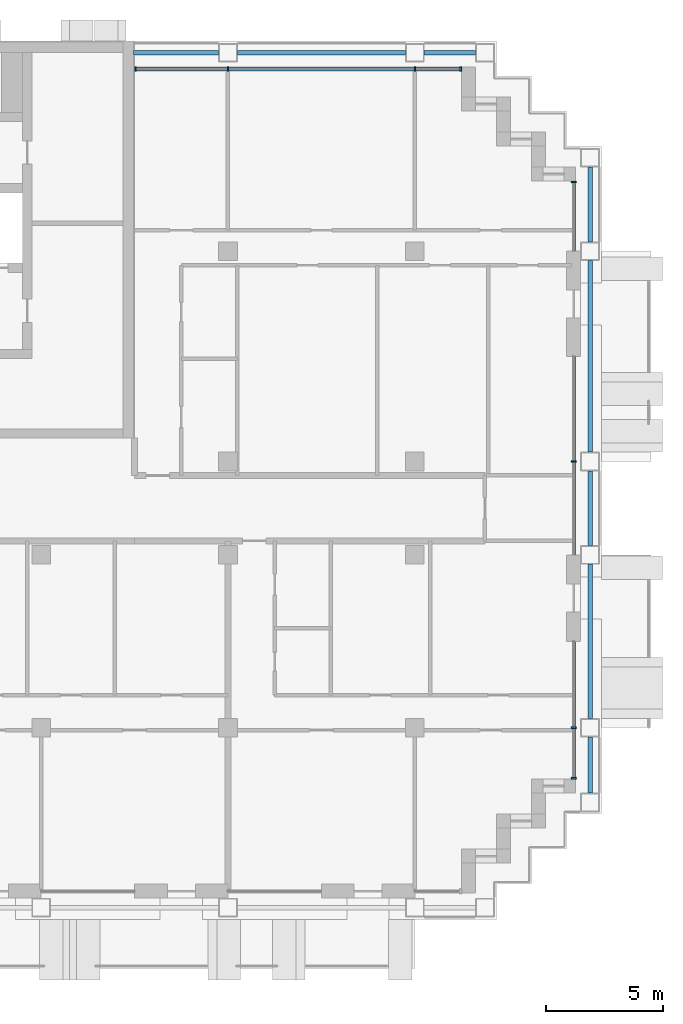
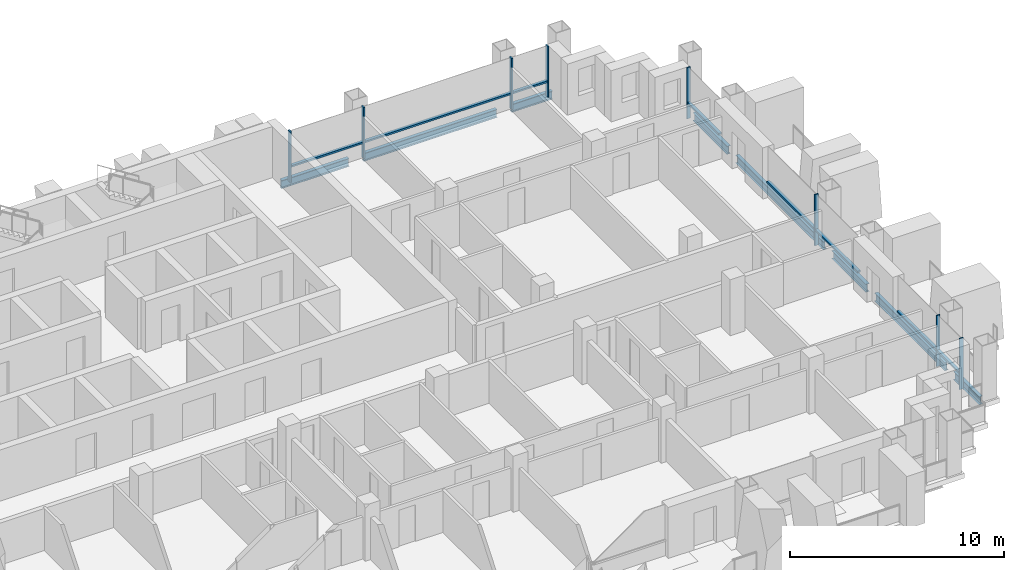
# One storey, part 5 of 18: 16 members, 8 beams, 4 elements without a shape of their own.
"""IFC4 building model written with IfcOpenShell, lengths in metres."""

from ifc_helpers import new_model, si_unit, direction, frame, origin, origin_2d, place, context, subcontext, project, spatial, rectangle, i_section, extrude, material, material_profile, profile_set, type_object, element, aggregate, save


model = new_model("IFC4")

# Units and contexts
model_context = context("Model", 3, precision=1e-05, world=origin(), true_north=direction((0.0, 1.0)))
body_context = subcontext(model_context, "Body", "Model", "MODEL_VIEW")
ifc_project = project(units=[si_unit("LENGTHUNIT", "METRE"), si_unit("AREAUNIT", "SQUARE_METRE"), si_unit("VOLUMEUNIT", "CUBIC_METRE"), si_unit("PLANEANGLEUNIT", "RADIAN"), si_unit("MASSUNIT", "GRAM", prefix="KILO")], contexts=[model_context])

# Site, building, storey
site_placement = place(None, origin())
site = spatial("IfcSite", under=ifc_project, at=site_placement, CompositionType="ELEMENT")
building_placement = place(site_placement, origin())
building = spatial("IfcBuilding", under=site, at=building_placement, Name="Vidyagriha Tower", CompositionType="ELEMENT")
storey_placement = place(building_placement, frame((0.0, 0.0, 123.0)))
storey = spatial("IfcBuildingStorey", under=building, at=storey_placement, Name="L31", CompositionType="ELEMENT", Elevation=123.0)

# Beams
ifc_material_1 = material(Name="Steel ASTM A992 Grade 50", Category="steel")
ifc_material_profile_1 = material_profile(ifc_material_1, i_section(OverallWidth=0.19189453125, OverallDepth=0.46240234375, WebThickness=0.010498046875, FlangeThickness=0.017578125, at=origin_2d()), Name="W18X60")
ifc_profile_set_1 = profile_set([ifc_material_profile_1], Name="Steel ASTM A992 Grade 50")
beam_type = type_object("IfcBeamType", Name="Edge beam W18X60", PredefinedType="SPANDREL", material=ifc_profile_set_1)
beam_1_placement = place(storey_placement, frame((33.5, -12.199951171875, -0.51123046875), z_axis=(0.0, 1.0, 0.0), x_axis=(-1.0, 0.0, 0.0)))
element("IfcBeam", 1, at=beam_1_placement, inside=storey, type_object=beam_type, Name="st-beam-L31-E14", PredefinedType="SPANDREL", context=body_context, shape_type="SweptSolid", body=[
    extrude(i_section(OverallWidth=0.19189453125, OverallDepth=0.46240234375, WebThickness=0.010498046875, FlangeThickness=0.017578125, at=origin_2d()), origin(), (0.0, 0.0, 1.0), 2.39990234375),
])
beam_2_placement = place(storey_placement, frame((33.5, -9.0, -0.51123046875), z_axis=(0.0, 1.0, 0.0), x_axis=(-1.0, 0.0, 0.0)))
element("IfcBeam", 2, at=beam_2_placement, inside=storey, type_object=beam_type, Name="st-beam-L31-E15", PredefinedType="SPANDREL", context=body_context, shape_type="SweptSolid", body=[
    extrude(i_section(OverallWidth=0.19189453125, OverallDepth=0.46240234375, WebThickness=0.010498046875, FlangeThickness=0.017578125, at=origin_2d()), origin(), (0.0, 0.0, 1.0), 6.60009765625),
])
beam_3_placement = place(storey_placement, frame((33.5, -1.60009765625, -0.51123046875), z_axis=(0.0, 1.0, 0.0), x_axis=(-1.0, 0.0, 0.0)))
element("IfcBeam", 3, at=beam_3_placement, inside=storey, type_object=beam_type, Name="st-beam-L31-E16", PredefinedType="SPANDREL", context=body_context, shape_type="SweptSolid", body=[
    extrude(i_section(OverallWidth=0.19189453125, OverallDepth=0.46240234375, WebThickness=0.010498046875, FlangeThickness=0.017578125, at=origin_2d()), origin(), (0.0, 0.0, 1.0), 3.2001953125),
])
beam_4_placement = place(storey_placement, frame((33.5, 2.39990234375, -0.51123046875), z_axis=(0.0, 1.0, 0.0), x_axis=(-1.0, 0.0, 0.0)))
element("IfcBeam", 4, at=beam_4_placement, inside=storey, type_object=beam_type, Name="st-beam-L31-E17", PredefinedType="SPANDREL", context=body_context, shape_type="SweptSolid", body=[
    extrude(i_section(OverallWidth=0.19189453125, OverallDepth=0.46240234375, WebThickness=0.010498046875, FlangeThickness=0.017578125, at=origin_2d()), origin(), (0.0, 0.0, 1.0), 8.2001953125),
])
beam_5_placement = place(storey_placement, frame((33.5, 11.39990234375, -0.51123046875), z_axis=(0.0, 1.0, 0.0), x_axis=(-1.0, 0.0, 0.0)))
element("IfcBeam", 5, at=beam_5_placement, inside=storey, type_object=beam_type, Name="st-beam-L31-E18", PredefinedType="SPANDREL", context=body_context, shape_type="SweptSolid", body=[
    extrude(i_section(OverallWidth=0.19189453125, OverallDepth=0.46240234375, WebThickness=0.010498046875, FlangeThickness=0.017578125, at=origin_2d()), origin(), (0.0, 0.0, 1.0), 3.2001953125),
])
beam_6_placement = place(storey_placement, frame((18.39990234375, 19.5, -0.51123046875), z_axis=(1.0, 0.0, 0.0), x_axis=(0.0, 1.0, 0.0)))
element("IfcBeam", 6, at=beam_6_placement, inside=storey, type_object=beam_type, Name="st-beam-L31-NE20", PredefinedType="SPANDREL", context=body_context, shape_type="SweptSolid", body=[
    extrude(i_section(OverallWidth=0.19189453125, OverallDepth=0.46240234375, WebThickness=0.010498046875, FlangeThickness=0.017578125, at=origin_2d()), origin(), (0.0, 0.0, 1.0), 7.2001953125),
])
beam_7_placement = place(storey_placement, frame((26.39990234375, 19.5, -0.51123046875), z_axis=(1.0, 0.0, 0.0), x_axis=(0.0, 1.0, 0.0)))
element("IfcBeam", 7, at=beam_7_placement, inside=storey, type_object=beam_type, Name="st-beam-L31-NE21", PredefinedType="SPANDREL", context=body_context, shape_type="SweptSolid", body=[
    extrude(i_section(OverallWidth=0.19189453125, OverallDepth=0.46240234375, WebThickness=0.010498046875, FlangeThickness=0.017578125, at=origin_2d()), origin(), (0.0, 0.0, 1.0), 2.2001953125),
])
beam_8_placement = place(storey_placement, frame((13.949951171875, 19.5, -0.51123046875), z_axis=(1.0, 0.0, 0.0), x_axis=(0.0, 1.0, 0.0)))
element("IfcBeam", 8, at=beam_8_placement, inside=storey, type_object=beam_type, Name="st-beam-L31-NC23", PredefinedType="SPANDREL", context=body_context, shape_type="SweptSolid", body=[
    extrude(i_section(OverallWidth=0.19189453125, OverallDepth=0.46240234375, WebThickness=0.010498046875, FlangeThickness=0.017578125, at=origin_2d()), origin(), (0.0, 0.0, 1.0), 3.650146484375),
])

# Curtain wall, members
ifc_material_2 = material(Name="Aluminium and glass curtain wall", Category="aluminium")
curtain_wall_type = type_object("IfcCurtainWallType", Name="Dwelling skin unitised curtain wall", PredefinedType="USERDEFINED", material=ifc_material_2)
curtain_wall_1_placement = place(storey_placement, origin())
curtain_wall_1 = element("IfcCurtainWall", 9, at=curtain_wall_1_placement, inside=storey, type_object=curtain_wall_type, Name="CW1 dwelling skin", ObjectType="UNITISED", PredefinedType="USERDEFINED")
ifc_material_3 = material(Name="Aluminium black anodised", Category="aluminium")
ifc_material_profile_2 = material_profile(ifc_material_3, rectangle(XDim=0.199951171875, YDim=0.070068359375, at=origin_2d()), Name="Mullion 70x200 black aluminium")
ifc_profile_set_2 = profile_set([ifc_material_profile_2], Name="Aluminium black anodised")
member_type_1 = type_object("IfcMemberType", Name="Mullion 70x200 black aluminium", PredefinedType="MULLION", material=ifc_profile_set_2)
member_1_placement = place(storey_placement, frame((27.965087890625, 18.800048828125, 0.0), z_axis=(0.0, 0.0, 1.0), x_axis=(0.0, -1.0, 0.0)))
member_1 = element("IfcMember", 10, at=member_1_placement, type_object=member_type_1, Name="CW1 mullion 1", PredefinedType="MULLION", context=body_context, shape_type="SweptSolid", body=[
    extrude(rectangle(XDim=0.199951171875, YDim=0.070068359375, at=origin_2d()), origin(), (0.0, 0.0, 1.0), 2.919921875),
])
member_2_placement = place(storey_placement, frame((26.0, 18.800048828125, 0.0), z_axis=(0.0, 0.0, 1.0), x_axis=(0.0, -1.0, 0.0)))
member_2 = element("IfcMember", 11, at=member_2_placement, type_object=member_type_1, Name="CW1 mullion 2", PredefinedType="MULLION", context=body_context, shape_type="SweptSolid", body=[
    extrude(rectangle(XDim=0.199951171875, YDim=0.070068359375, at=origin_2d()), origin(), (0.0, 0.0, 1.0), 2.919921875),
])
member_3_placement = place(storey_placement, frame((18.0, 18.800048828125, 0.0), z_axis=(0.0, 0.0, 1.0), x_axis=(0.0, -1.0, 0.0)))
member_3 = element("IfcMember", 12, at=member_3_placement, type_object=member_type_1, Name="CW1 mullion 3", PredefinedType="MULLION", context=body_context, shape_type="SweptSolid", body=[
    extrude(rectangle(XDim=0.199951171875, YDim=0.070068359375, at=origin_2d()), origin(), (0.0, 0.0, 1.0), 2.919921875),
])
member_4_placement = place(storey_placement, frame((14.034912109375, 18.800048828125, 0.0), z_axis=(0.0, 0.0, 1.0), x_axis=(0.0, -1.0, 0.0)))
member_4 = element("IfcMember", 13, at=member_4_placement, type_object=member_type_1, Name="CW1 mullion 4", PredefinedType="MULLION", context=body_context, shape_type="SweptSolid", body=[
    extrude(rectangle(XDim=0.199951171875, YDim=0.070068359375, at=origin_2d()), origin(), (0.0, 0.0, 1.0), 2.919921875),
])

curtain_wall_2_placement = place(storey_placement, origin())
curtain_wall_2 = element("IfcCurtainWall", 14, at=curtain_wall_2_placement, inside=storey, type_object=curtain_wall_type, Name="CW1 dwelling skin", ObjectType="UNITISED", PredefinedType="USERDEFINED")
member_5_placement = place(storey_placement, frame((32.800048828125, -11.56494140625, 0.0), z_axis=(0.0, 0.0, 1.0), x_axis=(-1.0, 0.0, 0.0)))
member_5 = element("IfcMember", 15, at=member_5_placement, type_object=member_type_1, Name="CW1 mullion 1", PredefinedType="MULLION", context=body_context, shape_type="SweptSolid", body=[
    extrude(rectangle(XDim=0.199951171875, YDim=0.070068359375, at=origin_2d()), origin(), (0.0, 0.0, 1.0), 2.919921875),
])
member_6_placement = place(storey_placement, frame((32.800048828125, -9.39990234375, 0.0), z_axis=(0.0, 0.0, 1.0), x_axis=(-1.0, 0.0, 0.0)))
member_6 = element("IfcMember", 16, at=member_6_placement, type_object=member_type_1, Name="CW1 mullion 2", PredefinedType="MULLION", context=body_context, shape_type="SweptSolid", body=[
    extrude(rectangle(XDim=0.199951171875, YDim=0.070068359375, at=origin_2d()), origin(), (0.0, 0.0, 1.0), 2.919921875),
])

# Curtain wall, member
curtain_wall_3_placement = place(storey_placement, origin())
curtain_wall_3 = element("IfcCurtainWall", 17, at=curtain_wall_3_placement, inside=storey, type_object=curtain_wall_type, Name="CW1 dwelling skin", ObjectType="UNITISED", PredefinedType="USERDEFINED")
member_7_placement = place(storey_placement, frame((32.800048828125, 2.0, 0.0), z_axis=(0.0, 0.0, 1.0), x_axis=(-1.0, 0.0, 0.0)))
member_7 = element("IfcMember", 18, at=member_7_placement, type_object=member_type_1, Name="CW1 mullion 2", PredefinedType="MULLION", context=body_context, shape_type="SweptSolid", body=[
    extrude(rectangle(XDim=0.199951171875, YDim=0.070068359375, at=origin_2d()), origin(), (0.0, 0.0, 1.0), 2.919921875),
])

curtain_wall_4_placement = place(storey_placement, origin())
curtain_wall_4 = element("IfcCurtainWall", 19, at=curtain_wall_4_placement, inside=storey, type_object=curtain_wall_type, Name="CW1 dwelling skin", ObjectType="UNITISED", PredefinedType="USERDEFINED")
member_8_placement = place(storey_placement, frame((32.800048828125, 13.965087890625, 0.0), z_axis=(0.0, 0.0, 1.0), x_axis=(-1.0, 0.0, 0.0)))
member_8 = element("IfcMember", 20, at=member_8_placement, type_object=member_type_1, Name="CW1 mullion 2", PredefinedType="MULLION", context=body_context, shape_type="SweptSolid", body=[
    extrude(rectangle(XDim=0.199951171875, YDim=0.070068359375, at=origin_2d()), origin(), (0.0, 0.0, 1.0), 2.919921875),
])

# Member
ifc_material_4 = material(Name="Aluminium black anodised", Category="aluminium")
ifc_material_profile_3 = material_profile(ifc_material_4, rectangle(XDim=0.159912109375, YDim=0.10009765625, at=origin_2d()), Name="Transom 100x160 black aluminium")
ifc_profile_set_3 = profile_set([ifc_material_profile_3], Name="Aluminium black anodised")
member_type_2 = type_object("IfcMemberType", Name="Transom 100x160 black aluminium", PredefinedType="USERDEFINED", material=ifc_profile_set_3)
member_9_placement = place(storey_placement, frame((27.929931640625, 18.800048828125, 0.89990234375), z_axis=(-1.0, 0.0, 0.0), x_axis=(0.0, -1.0, 0.0)))
member_9 = element("IfcMember", 21, at=member_9_placement, type_object=member_type_2, Name="CW1 transom 1.1", ObjectType="TRANSOM", PredefinedType="USERDEFINED", context=body_context, shape_type="SweptSolid", body=[
    extrude(rectangle(XDim=0.159912109375, YDim=0.10009765625, at=origin_2d()), origin(), (0.0, 0.0, 1.0), 1.89501953125),
])

member_10_placement = place(storey_placement, frame((25.965087890625, 18.800048828125, 0.89990234375), z_axis=(-1.0, 0.0, 0.0), x_axis=(0.0, -1.0, 0.0)))
member_10 = element("IfcMember", 22, at=member_10_placement, type_object=member_type_2, Name="CW1 transom 2.1", ObjectType="TRANSOM", PredefinedType="USERDEFINED", context=body_context, shape_type="SweptSolid", body=[
    extrude(rectangle(XDim=0.159912109375, YDim=0.10009765625, at=origin_2d()), origin(), (0.0, 0.0, 1.0), 7.93017578125),
])

member_11_placement = place(storey_placement, frame((17.965087890625, 18.800048828125, 0.89990234375), z_axis=(-1.0, 0.0, 0.0), x_axis=(0.0, -1.0, 0.0)))
member_11 = element("IfcMember", 23, at=member_11_placement, type_object=member_type_2, Name="CW1 transom 3.1", ObjectType="TRANSOM", PredefinedType="USERDEFINED", context=body_context, shape_type="SweptSolid", body=[
    extrude(rectangle(XDim=0.159912109375, YDim=0.10009765625, at=origin_2d()), origin(), (0.0, 0.0, 1.0), 3.89501953125),
])

aggregate(curtain_wall_1, [member_1, member_2, member_3, member_4, member_9, member_10, member_11])

member_12_placement = place(storey_placement, frame((32.800048828125, -11.530029296875, 0.89990234375), z_axis=(0.0, 1.0, 0.0), x_axis=(-1.0, 0.0, 0.0)))
member_12 = element("IfcMember", 24, at=member_12_placement, type_object=member_type_2, Name="CW1 transom 1.1", ObjectType="TRANSOM", PredefinedType="USERDEFINED", context=body_context, shape_type="SweptSolid", body=[
    extrude(rectangle(XDim=0.159912109375, YDim=0.10009765625, at=origin_2d()), origin(), (0.0, 0.0, 1.0), 2.094970703125),
])

member_13_placement = place(storey_placement, frame((32.800048828125, -9.364990234375, 0.89990234375), z_axis=(0.0, 1.0, 0.0), x_axis=(-1.0, 0.0, 0.0)))
member_13 = element("IfcMember", 25, at=member_13_placement, type_object=member_type_2, Name="CW1 transom 2.1", ObjectType="TRANSOM", PredefinedType="USERDEFINED", context=body_context, shape_type="SweptSolid", body=[
    extrude(rectangle(XDim=0.159912109375, YDim=0.10009765625, at=origin_2d()), origin(), (0.0, 0.0, 1.0), 3.6650390625),
])

aggregate(curtain_wall_2, [member_5, member_6, member_12, member_13])

member_14_placement = place(storey_placement, frame((32.800048828125, -2.0, 0.89990234375), z_axis=(0.0, 1.0, 0.0), x_axis=(-1.0, 0.0, 0.0)))
member_14 = element("IfcMember", 26, at=member_14_placement, type_object=member_type_2, Name="CW1 transom 1.1", ObjectType="TRANSOM", PredefinedType="USERDEFINED", context=body_context, shape_type="SweptSolid", body=[
    extrude(rectangle(XDim=0.159912109375, YDim=0.10009765625, at=origin_2d()), origin(), (0.0, 0.0, 1.0), 3.965087890625),
])

member_15_placement = place(storey_placement, frame((32.800048828125, 2.034912109375, 0.89990234375), z_axis=(0.0, 1.0, 0.0), x_axis=(-1.0, 0.0, 0.0)))
member_15 = element("IfcMember", 27, at=member_15_placement, type_object=member_type_2, Name="CW1 transom 2.1", ObjectType="TRANSOM", PredefinedType="USERDEFINED", context=body_context, shape_type="SweptSolid", body=[
    extrude(rectangle(XDim=0.159912109375, YDim=0.10009765625, at=origin_2d()), origin(), (0.0, 0.0, 1.0), 4.465087890625),
])

aggregate(curtain_wall_3, [member_7, member_14, member_15])

member_16_placement = place(storey_placement, frame((32.800048828125, 11.0, 0.89990234375), z_axis=(0.0, 1.0, 0.0), x_axis=(-1.0, 0.0, 0.0)))
member_16 = element("IfcMember", 28, at=member_16_placement, type_object=member_type_2, Name="CW1 transom 1.1", ObjectType="TRANSOM", PredefinedType="USERDEFINED", context=body_context, shape_type="SweptSolid", body=[
    extrude(rectangle(XDim=0.159912109375, YDim=0.10009765625, at=origin_2d()), origin(), (0.0, 0.0, 1.0), 2.929931640625),
])

aggregate(curtain_wall_4, [member_8, member_16])

save(model, "model.ifc")
